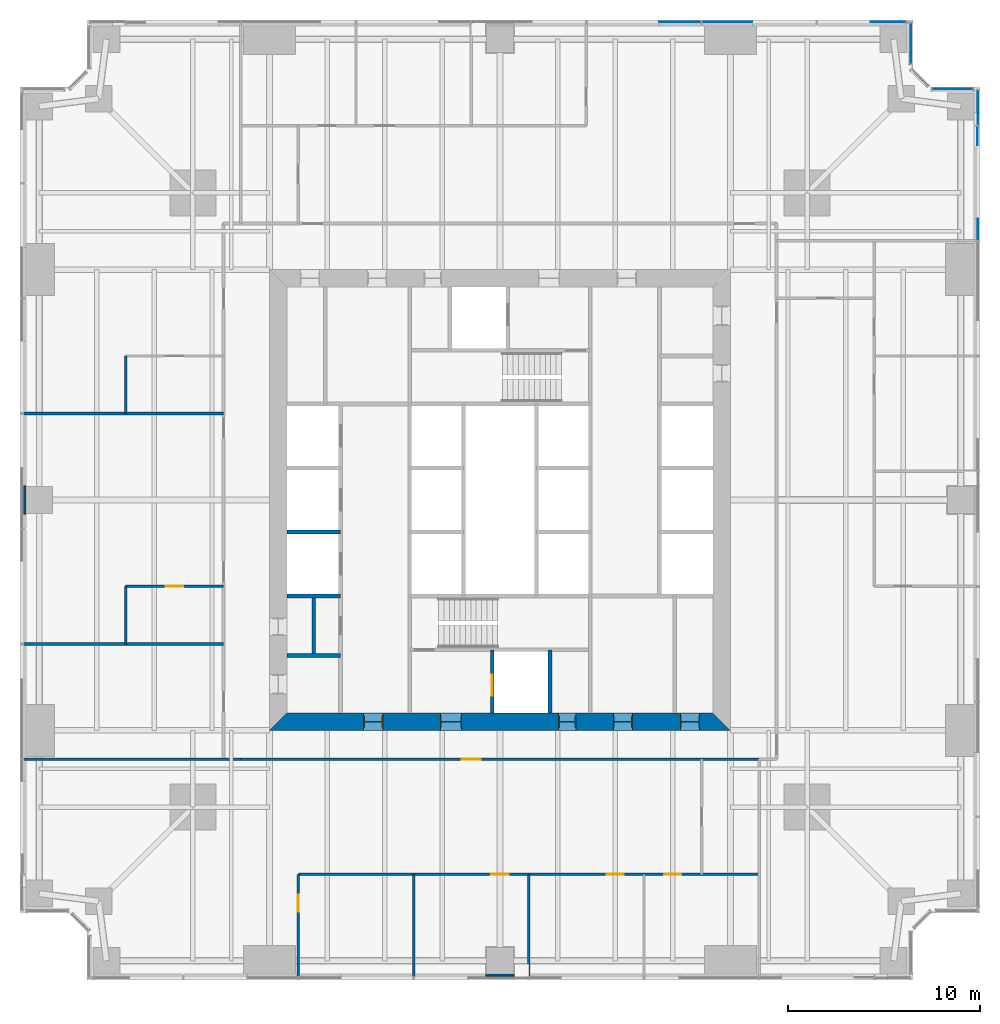
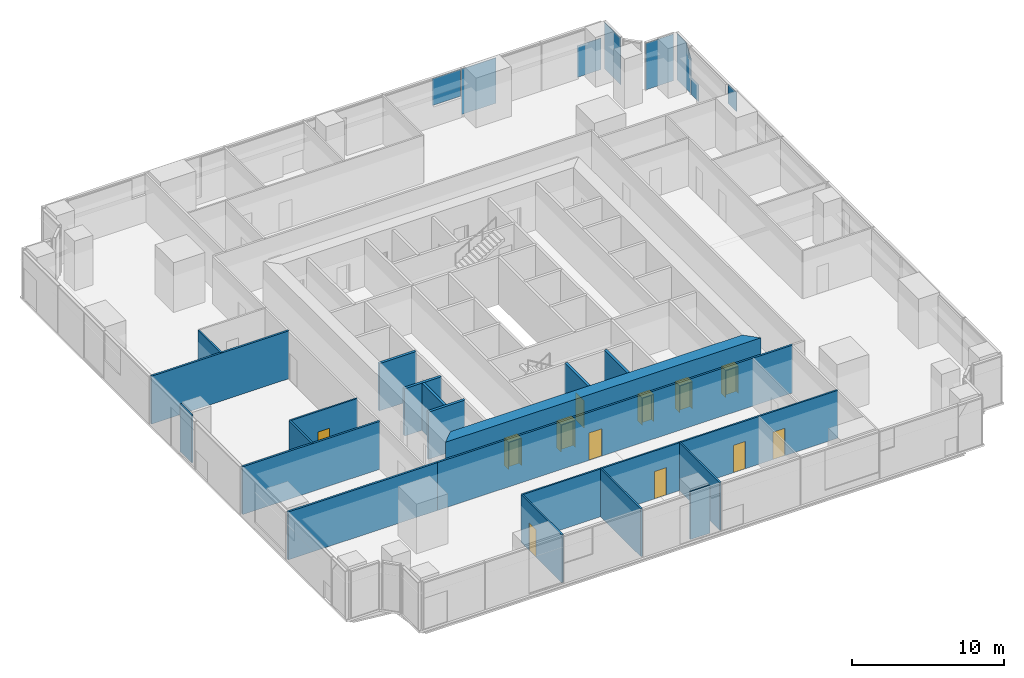
# One storey, part 9 of 14: 20 walls, 12 doors, 8 plates, 12 openings, 4 elements without a shape of their own.
"""IFC4 building model written with IfcOpenShell, lengths in metres."""

from ifc_helpers import new_model, si_unit, direction, frame, frame_2d, origin, origin_2d, place, context, subcontext, project, spatial, polyline, rectangle, outline, extrude, material, layer, layer_set, type_object, element, fill, aggregate, save


model = new_model("IFC4")

# Units and contexts
model_context = context("Model", 3, precision=1e-05, world=origin(), true_north=direction((0.0, 1.0)))
body_context = subcontext(model_context, "Body", "Model", "MODEL_VIEW")
ifc_project = project(units=[si_unit("LENGTHUNIT", "METRE"), si_unit("AREAUNIT", "SQUARE_METRE"), si_unit("VOLUMEUNIT", "CUBIC_METRE"), si_unit("PLANEANGLEUNIT", "RADIAN"), si_unit("MASSUNIT", "GRAM", prefix="KILO")], contexts=[model_context])

# Site, building, storey
site_placement = place(None, origin())
site = spatial("IfcSite", under=ifc_project, at=site_placement, CompositionType="ELEMENT")
building_placement = place(site_placement, origin())
building = spatial("IfcBuilding", under=site, at=building_placement, Name="Fenwick Lantern Interchange", CompositionType="ELEMENT")
storey_placement = place(building_placement, frame((0.0, 0.0, 83.0)))
storey = spatial("IfcBuildingStorey", under=building, at=storey_placement, Name="L19", CompositionType="ELEMENT", Elevation=83.0)

# Curtain wall, plates
ifc_material_1 = material(Name="Aluminium curtain wall frame", Category="aluminium")
curtain_wall_type = type_object("IfcCurtainWallType", Name="OFFICE CURTAIN WALL", PredefinedType="USERDEFINED", material=ifc_material_1)
curtain_wall_1_placement = place(storey_placement, origin())
curtain_wall_1 = element("IfcCurtainWall", 1, at=curtain_wall_1_placement, inside=storey, type_object=curtain_wall_type, Name="Office curtain wall 05", ObjectType="OFFICE CURTAIN WALL", PredefinedType="USERDEFINED")
ifc_material_2 = material(Name="Vision glass, clear low-iron double glazed", Category="glass")
ifc_layer_1 = layer(ifc_material_2, 0.031982421875)
ifc_layer_set_1 = layer_set([ifc_layer_1], Name="OFFICE CURTAIN WALL PANEL 32")
plate_type = type_object("IfcPlateType", Name="OFFICE CURTAIN WALL PANEL 32", PredefinedType="CURTAIN_PANEL", material=ifc_layer_set_1)
plate_1_placement = place(storey_placement, frame((49.89990234375, 3.60009765625, 2.190185546875), z_axis=(0.0, 0.0, 1.0), x_axis=(0.0, 1.0, 0.0)))
plate_1 = element("IfcPlate", 2, at=plate_1_placement, type_object=plate_type, Name="L19/CW/05/P06a", PredefinedType="CURTAIN_PANEL", context=body_context, shape_type="SweptSolid", body=[
    extrude(outline(polyline([(34.9326171875, 0.0), (36.047607421875, 0.0), (36.047607421875, 1.559814453125), (34.9326171875, 1.559814453125), (34.9326171875, 0.0)])), frame((0.0, 0.01611328125, 0.0), z_axis=(0.0, -1.0, 0.0), x_axis=(1.0, 0.0, 0.0)), (0.0, 0.0, 1.0), 0.031982421875),
])
plate_2_placement = place(storey_placement, frame((49.89990234375, 3.60009765625, 0.0), z_axis=(0.0, 0.0, 1.0), x_axis=(0.0, 1.0, 0.0)))
plate_2 = element("IfcPlate", 3, at=plate_2_placement, type_object=plate_type, Name="L19/CW/05/P06b", PredefinedType="CURTAIN_PANEL", context=body_context, shape_type="SweptSolid", body=[
    extrude(outline(polyline([(39.88720703125, 0.0), (40.867431640625, 0.0), (40.867431640625, 1.370361328125), (39.88720703125, 1.370361328125), (39.88720703125, 0.0)])), frame((0.0, 0.0498046875, 0.0), z_axis=(0.0, -1.0, 0.0), x_axis=(1.0, 0.0, 0.0)), (0.0, 0.0, 1.0), 0.031982421875),
])
plate_3_placement = place(storey_placement, frame((49.89990234375, 3.60009765625, 0.0), z_axis=(0.0, 0.0, 1.0), x_axis=(0.0, 1.0, 0.0)))
plate_3 = element("IfcPlate", 4, at=plate_3_placement, type_object=plate_type, Name="L19/CW/05/P07a", PredefinedType="CURTAIN_PANEL", context=body_context, shape_type="SweptSolid", body=[
    extrude(outline(polyline([(40.9326171875, 0.0), (42.735107421875, 0.0), (42.735107421875, 3.75), (41.589111328125, 3.75), (40.9326171875, 2.83203125), (40.9326171875, 0.0)])), frame((0.0, 0.01611328125, 0.0), z_axis=(0.0, -1.0, 0.0), x_axis=(1.0, 0.0, 0.0)), (0.0, 0.0, 1.0), 0.031982421875),
])
aggregate(curtain_wall_1, [plate_1, plate_2, plate_3])

# Curtain wall, plate
curtain_wall_2_placement = place(storey_placement, origin())
curtain_wall_2 = element("IfcCurtainWall", 5, at=curtain_wall_2_placement, inside=storey, type_object=curtain_wall_type, Name="Office curtain wall 06", ObjectType="OFFICE CURTAIN WALL", PredefinedType="USERDEFINED")
plate_4_placement = place(storey_placement, frame((48.579345703125, 46.39990234375, 0.0), z_axis=(0.0, 0.0, 1.0), x_axis=(-1.0, 0.0, 0.0)))
plate_4 = element("IfcPlate", 6, at=plate_4_placement, type_object=plate_type, Name="L19/CW/06/P00", PredefinedType="CURTAIN_PANEL", context=body_context, shape_type="SweptSolid", body=[
    extrude(rectangle(XDim=2.111328125, YDim=0.031982421875, at=origin_2d()), origin(), (0.0, 0.0, 1.0), 3.75),
])
aggregate(curtain_wall_2, [plate_4])

curtain_wall_3_placement = place(storey_placement, origin())
curtain_wall_3 = element("IfcCurtainWall", 7, at=curtain_wall_3_placement, inside=storey, type_object=curtain_wall_type, Name="Office curtain wall 08", ObjectType="OFFICE CURTAIN WALL", PredefinedType="USERDEFINED")
plate_5_placement = place(storey_placement, frame((46.39990234375, 48.779296875, 0.0), z_axis=(0.0, 0.0, 1.0), x_axis=(0.0, 1.0, 0.0)))
plate_5 = element("IfcPlate", 8, at=plate_5_placement, type_object=plate_type, Name="L19/CW/08/P00", PredefinedType="CURTAIN_PANEL", context=body_context, shape_type="SweptSolid", body=[
    extrude(rectangle(XDim=2.111328125, YDim=0.031982421875, at=origin_2d()), origin(), (0.0, 0.0, 1.0), 3.75),
])
aggregate(curtain_wall_3, [plate_5])

# Curtain wall, plates
curtain_wall_4_placement = place(storey_placement, origin())
curtain_wall_4 = element("IfcCurtainWall", 9, at=curtain_wall_4_placement, inside=storey, type_object=curtain_wall_type, Name="Office curtain wall 09", ObjectType="OFFICE CURTAIN WALL", PredefinedType="USERDEFINED")
plate_6_placement = place(storey_placement, frame((46.39990234375, 49.89990234375, 0.0), z_axis=(0.0, 0.0, 1.0), x_axis=(-1.0, 0.0, 0.0)))
plate_6 = element("IfcPlate", 10, at=plate_6_placement, type_object=plate_type, Name="L19/CW/09/P00a", PredefinedType="CURTAIN_PANEL", context=body_context, shape_type="SweptSolid", body=[
    extrude(outline(polyline([(0.264892578125, 0.0), (2.080078125, 0.0), (2.080078125, 2.534912109375), (0.264892578125, 2.534912109375), (0.264892578125, 0.0)])), frame((0.0, 0.01611328125, 0.0), z_axis=(0.0, -1.0, 0.0), x_axis=(1.0, 0.0, 0.0)), (0.0, 0.0, 1.0), 0.031982421875),
])
plate_7_placement = place(storey_placement, frame((46.39990234375, 49.89990234375, 0.093505859375), z_axis=(0.0, 0.0, 1.0), x_axis=(-1.0, 0.0, 0.0)))
plate_7 = element("IfcPlate", 11, at=plate_7_placement, type_object=plate_type, Name="L19/CW/09/P01a", PredefinedType="CURTAIN_PANEL", context=body_context, shape_type="SweptSolid", body=[
    extrude(outline(polyline([(8.251953125, 0.0), (10.867431640625, 0.0), (10.867431640625, 3.656494140625), (8.251953125, 3.656494140625), (8.251953125, 0.0)])), frame((0.0, 0.01611328125, 0.0), z_axis=(0.0, -1.0, 0.0), x_axis=(1.0, 0.0, 0.0)), (0.0, 0.0, 1.0), 0.031982421875),
])
plate_8_placement = place(storey_placement, frame((46.39990234375, 49.89990234375, 1.599365234375), z_axis=(0.0, 0.0, 1.0), x_axis=(-1.0, 0.0, 0.0)))
plate_8 = element("IfcPlate", 12, at=plate_8_placement, type_object=plate_type, Name="L19/CW/09/P02a", PredefinedType="CURTAIN_PANEL", context=body_context, shape_type="SweptSolid", body=[
    extrude(outline(polyline([(10.9326171875, 0.0), (13.107421875, 0.0), (13.107421875, 2.150634765625), (10.9326171875, 2.150634765625), (10.9326171875, 0.0)])), frame((0.0, 0.01611328125, 0.0), z_axis=(0.0, -1.0, 0.0), x_axis=(1.0, 0.0, 0.0)), (0.0, 0.0, 1.0), 0.031982421875),
])
aggregate(curtain_wall_4, [plate_6, plate_7, plate_8])

# Walls
ifc_material_3 = material(Name="Fire-rated gypsum board encasement on steel studs, 2 hour", Category="steel")
ifc_layer_2 = layer(ifc_material_3, 1.5)
ifc_layer_set_2 = layer_set([ifc_layer_2], Name="COLUMN PIER 1500")
wall_type_1 = type_object("IfcWallType", Name="COLUMN PIER 1500", PredefinedType="PARTITIONING", material=ifc_layer_set_2)
for number, where, z_axis, x_axis, name in (
    (13, (25.0, 0.199951171875, 0.0), (0.0, 0.0, 1.0), (0.0, 1.0, 0.0), "L19/W/PIER/CS3"),
    (14, (0.199951171875, 25.0, 0.0), (0.0, 0.0, 1.0), (1.0, 0.0, 0.0), "L19/W/PIER/CW3"),
):
    element("IfcWall", number, at=place(storey_placement, frame(where, z_axis=z_axis, x_axis=x_axis)), inside=storey, type_object=wall_type_1, Name=name, PredefinedType="PARTITIONING", context=body_context, shape_type="SweptSolid", body=[
        extrude(rectangle(XDim=0.10009765625, YDim=1.5, at=frame_2d((0.050048828125, 0.0))), origin(), (0.0, 0.0, 1.0), 3.85009765625),
    ])
ifc_material_4 = material(Name="Concrete masonry ASTM C90 Grade N", Category="masonry")
ifc_layer_3 = layer(ifc_material_4, 0.199951171875)
ifc_layer_set_3 = layer_set([ifc_layer_3], Name="Concrete masonry ASTM C90 Grade N")
wall_type_2 = type_object("IfcWallType", Name="CORE PARTITION 200", PredefinedType="PARTITIONING", material=ifc_layer_set_3)
for number, where, z_axis, x_axis, name in (
    (15, (13.89990234375, 20.0, 0.0), (0.0, 0.0, 1.0), (1.0, 0.0, 0.0), "L19/W/CORES/c2"),
    (16, (13.89990234375, 23.333251953125, 0.0), (0.0, 0.0, 1.0), (1.0, 0.0, 0.0), "L19/W/CORES/d1"),
):
    element("IfcWall", number, at=place(storey_placement, frame(where, z_axis=z_axis, x_axis=x_axis)), inside=storey, type_object=wall_type_2, Name=name, PredefinedType="PARTITIONING", context=body_context, shape_type="SweptSolid", body=[
        extrude(rectangle(XDim=2.800048828125, YDim=0.199951171875, at=frame_2d((1.39990234375, 0.0))), origin(), (0.0, 0.0, 1.0), 3.800048828125),
    ])

# Wall, opening, door
wall_1_placement = place(storey_placement, frame((24.60009765625, 13.89990234375, 0.0), z_axis=(0.0, 0.0, 1.0), x_axis=(0.0, 1.0, 0.0)))
wall_1 = element("IfcWall", 17, at=wall_1_placement, inside=storey, type_object=wall_type_2, Name="L19/W/CORES/h1", PredefinedType="PARTITIONING", context=body_context, shape_type="SweptSolid", body=[
    extrude(rectangle(XDim=3.300048828125, YDim=0.199951171875, at=frame_2d((1.64990234375, 0.0))), origin(), (0.0, 0.0, 1.0), 3.800048828125),
])
opening_1_placement = place(wall_1_placement, frame((0.89990234375, 0.0, 0.0)))
opening_1 = element("IfcOpeningElement", 18, at=opening_1_placement, cuts=wall_1, Name="Opening LD-FL1", PredefinedType="OPENING", context=body_context, shape_type="SweptSolid", body=[
    extrude(rectangle(XDim=1.10009765625, YDim=2.199951171875, at=frame_2d((0.550048828125, 1.10009765625))), frame((0.0, 0.10986328125, 0.0), z_axis=(0.0, -1.0, 0.0), x_axis=(1.0, 0.0, 0.0)), (0.0, 0.0, 1.0), 0.219970703125),
])
ifc_material_5 = material(Name="Steel door and frame", Category="steel")
door_type_1 = type_object("IfcDoorType", Name="LIFT LANDING DOOR 1100 X 2200", OperationType="DOUBLE_DOOR_SLIDING", PredefinedType="DOOR", material=ifc_material_5)
door_1_placement = place(opening_1_placement, origin())
door_1 = element("IfcDoor", 19, at=door_1_placement, inside=storey, type_object=door_type_1, Name="Lift landing door FL1", OperationType="DOUBLE_DOOR_SLIDING", OverallHeight=2.199951171875, OverallWidth=1.10009765625, PredefinedType="DOOR", context=body_context, shape_type="SweptSolid", body=[
    extrude(rectangle(XDim=1.10009765625, YDim=2.199951171875, at=frame_2d((0.550048828125, 1.10009765625))), frame((0.0, 0.02490234375, 0.0), z_axis=(0.0, -1.0, 0.0), x_axis=(1.0, 0.0, 0.0)), (0.0, 0.0, 1.0), 0.050048828125),
])
fill(opening_1, door_1)

# Walls
wall_2_placement = place(storey_placement, frame((27.60009765625, 13.89990234375, 0.0), z_axis=(0.0, 0.0, 1.0), x_axis=(0.0, 1.0, 0.0)))
element("IfcWall", 20, at=wall_2_placement, inside=storey, type_object=wall_type_2, Name="L19/W/CORES/h2", PredefinedType="PARTITIONING", context=body_context, shape_type="SweptSolid", body=[
    extrude(rectangle(XDim=3.300048828125, YDim=0.199951171875, at=frame_2d((1.64990234375, 0.0))), origin(), (0.0, 0.0, 1.0), 3.800048828125),
])
wall_3_placement = place(storey_placement, frame((13.89990234375, 16.89990234375, 0.0), z_axis=(0.0, 0.0, 1.0), x_axis=(1.0, 0.0, 0.0)))
element("IfcWall", 21, at=wall_3_placement, inside=storey, type_object=wall_type_2, Name="L19/W/CORES/p1", PredefinedType="PARTITIONING", context=body_context, shape_type="SweptSolid", body=[
    extrude(rectangle(XDim=2.800048828125, YDim=0.199951171875, at=frame_2d((1.39990234375, 0.0))), origin(), (0.0, 0.0, 1.0), 3.800048828125),
])
wall_4_placement = place(storey_placement, frame((15.300048828125, 16.89990234375, 0.0), z_axis=(0.0, 0.0, 1.0), x_axis=(0.0, 1.0, 0.0)))
element("IfcWall", 22, at=wall_4_placement, inside=storey, type_object=wall_type_2, Name="L19/W/CORES/px", PredefinedType="PARTITIONING", context=body_context, shape_type="SweptSolid", body=[
    extrude(rectangle(XDim=3.10009765625, YDim=0.199951171875, at=frame_2d((1.550048828125, 0.0))), origin(), (0.0, 0.0, 1.0), 3.800048828125),
])

# Wall, openings, doors
ifc_material_6 = material(Name="Concrete f'c 70 MPa", Category="concrete")
ifc_layer_4 = layer(ifc_material_6, 0.89990234375)
ifc_layer_set_4 = layer_set([ifc_layer_4], Name="CORE WALL 900")
wall_type_3 = type_object("IfcWallType", Name="CORE WALL 900", PredefinedType="SHEAR", material=ifc_layer_set_4)
wall_5_placement = place(storey_placement, frame((13.0, 13.449951171875, 0.0), z_axis=(0.0, 0.0, 1.0), x_axis=(1.0, 0.0, 0.0)))
wall_5 = element("IfcWall", 23, at=wall_5_placement, inside=storey, type_object=wall_type_3, Name="L19/CORE/S", PredefinedType="SHEAR", context=body_context, shape_type="SweptSolid", body=[
    extrude(outline(polyline([(0.0, -0.449951171875), (24.0, -0.449951171875), (23.10009765625, 0.449951171875), (0.89990234375, 0.449951171875), (0.0, -0.449951171875)])), origin(), (0.0, 0.0, 1.0), 4.0),
])
opening_2_placement = place(wall_5_placement, frame((4.89990234375, 0.0, 0.0)))
opening_2 = element("IfcOpeningElement", 24, at=opening_2_placement, cuts=wall_5, Name="Opening L19-D001", PredefinedType="OPENING", context=body_context, shape_type="SweptSolid", body=[
    extrude(rectangle(XDim=1.0, YDim=2.199951171875, at=frame_2d((0.5, 1.10009765625))), frame((0.0, 0.4599609375, 0.0), z_axis=(0.0, -1.0, 0.0), x_axis=(1.0, 0.0, 0.0)), (0.0, 0.0, 1.0), 0.919921875),
])
opening_3_placement = place(wall_5_placement, frame((8.89990234375, 0.0, 0.0)))
opening_3 = element("IfcOpeningElement", 25, at=opening_3_placement, cuts=wall_5, Name="Opening L19-D002", PredefinedType="OPENING", context=body_context, shape_type="SweptSolid", body=[
    extrude(rectangle(XDim=1.10009765625, YDim=2.199951171875, at=frame_2d((0.550048828125, 1.10009765625))), frame((0.0, 0.4599609375, 0.0), z_axis=(0.0, -1.0, 0.0), x_axis=(1.0, 0.0, 0.0)), (0.0, 0.0, 1.0), 0.919921875),
])
opening_4_placement = place(wall_5_placement, frame((15.050048828125, 0.0, 0.0)))
opening_4 = element("IfcOpeningElement", 26, at=opening_4_placement, cuts=wall_5, Name="Opening L19-D004", PredefinedType="OPENING", context=body_context, shape_type="SweptSolid", body=[
    extrude(rectangle(XDim=0.89990234375, YDim=2.199951171875, at=frame_2d((0.449951171875, 1.10009765625))), frame((0.0, 0.4599609375, 0.0), z_axis=(0.0, -1.0, 0.0), x_axis=(1.0, 0.0, 0.0)), (0.0, 0.0, 1.0), 0.919921875),
])
opening_5_placement = place(wall_5_placement, frame((17.89990234375, 0.0, 0.0)))
opening_5 = element("IfcOpeningElement", 27, at=opening_5_placement, cuts=wall_5, Name="Opening L19-D005", PredefinedType="OPENING", context=body_context, shape_type="SweptSolid", body=[
    extrude(rectangle(XDim=1.0, YDim=2.199951171875, at=frame_2d((0.5, 1.10009765625))), frame((0.0, 0.4599609375, 0.0), z_axis=(0.0, -1.0, 0.0), x_axis=(1.0, 0.0, 0.0)), (0.0, 0.0, 1.0), 0.919921875),
])
opening_6_placement = place(wall_5_placement, frame((21.39990234375, 0.0, 0.0)))
opening_6 = element("IfcOpeningElement", 28, at=opening_6_placement, cuts=wall_5, Name="Opening L19-D006", PredefinedType="OPENING", context=body_context, shape_type="SweptSolid", body=[
    extrude(rectangle(XDim=1.0, YDim=2.199951171875, at=frame_2d((0.5, 1.10009765625))), frame((0.0, 0.4599609375, 0.0), z_axis=(0.0, -1.0, 0.0), x_axis=(1.0, 0.0, 0.0)), (0.0, 0.0, 1.0), 0.919921875),
])
door_type_2 = type_object("IfcDoorType", Name="CORE LOBBY DOOR 1000 X 2200", OperationType="SINGLE_SWING_LEFT", PredefinedType="DOOR", material=ifc_material_5)
door_2_placement = place(opening_2_placement, origin())
door_2 = element("IfcDoor", 29, at=door_2_placement, inside=storey, type_object=door_type_2, Name="Core lobby door", OperationType="SINGLE_SWING_LEFT", OverallHeight=2.199951171875, OverallWidth=1.0, PredefinedType="DOOR", context=body_context, shape_type="SweptSolid", body=[
    extrude(rectangle(XDim=1.0, YDim=2.199951171875, at=frame_2d((0.5, 1.10009765625))), frame((0.0, 0.02490234375, 0.0), z_axis=(0.0, -1.0, 0.0), x_axis=(1.0, 0.0, 0.0)), (0.0, 0.0, 1.0), 0.050048828125),
    extrude(outline(polyline([(0.0, 0.0), (0.0400390625, 0.0), (0.0400390625, 2.159912109375), (0.9599609375, 2.159912109375), (0.9599609375, 0.0), (1.0, 0.0), (1.0, 2.199951171875), (0.0, 2.199951171875), (0.0, 0.0)])), frame((0.0, 0.300048828125, 0.0), z_axis=(0.0, -1.0, 0.0), x_axis=(1.0, 0.0, 0.0)), (0.0, 0.0, 1.0), 0.60009765625),
])
fill(opening_2, door_2)
door_type_3 = type_object("IfcDoorType", Name="FIRE LOBBY DOOR 1100 X 2200", OperationType="SINGLE_SWING_LEFT", PredefinedType="DOOR", material=ifc_material_5)
door_3_placement = place(opening_3_placement, origin())
door_3 = element("IfcDoor", 30, at=door_3_placement, inside=storey, type_object=door_type_3, Name="Fire lobby door", OperationType="SINGLE_SWING_LEFT", OverallHeight=2.199951171875, OverallWidth=1.10009765625, PredefinedType="DOOR", context=body_context, shape_type="SweptSolid", body=[
    extrude(rectangle(XDim=1.10009765625, YDim=2.199951171875, at=frame_2d((0.550048828125, 1.10009765625))), frame((0.0, 0.02490234375, 0.0), z_axis=(0.0, -1.0, 0.0), x_axis=(1.0, 0.0, 0.0)), (0.0, 0.0, 1.0), 0.050048828125),
    extrude(outline(polyline([(0.0, 0.0), (0.0400390625, 0.0), (0.0400390625, 2.159912109375), (1.06005859375, 2.159912109375), (1.06005859375, 0.0), (1.10009765625, 0.0), (1.10009765625, 2.199951171875), (0.0, 2.199951171875), (0.0, 0.0)])), frame((0.0, 0.300048828125, 0.0), z_axis=(0.0, -1.0, 0.0), x_axis=(1.0, 0.0, 0.0)), (0.0, 0.0, 1.0), 0.60009765625),
])
fill(opening_3, door_3)
door_type_4 = type_object("IfcDoorType", Name="SERVICE DOOR 900 X 2200", OperationType="SINGLE_SWING_LEFT", PredefinedType="DOOR", material=ifc_material_5)
door_4_placement = place(opening_4_placement, origin())
door_4 = element("IfcDoor", 31, at=door_4_placement, inside=storey, type_object=door_type_4, Name="Service door", OperationType="SINGLE_SWING_LEFT", OverallHeight=2.199951171875, OverallWidth=0.89990234375, PredefinedType="DOOR", context=body_context, shape_type="SweptSolid", body=[
    extrude(rectangle(XDim=0.89990234375, YDim=2.199951171875, at=frame_2d((0.449951171875, 1.10009765625))), frame((0.0, 0.02490234375, 0.0), z_axis=(0.0, -1.0, 0.0), x_axis=(1.0, 0.0, 0.0)), (0.0, 0.0, 1.0), 0.050048828125),
    extrude(outline(polyline([(0.0, 0.0), (0.0400390625, 0.0), (0.0400390625, 2.159912109375), (0.85986328125, 2.159912109375), (0.85986328125, 0.0), (0.89990234375, 0.0), (0.89990234375, 2.199951171875), (0.0, 2.199951171875), (0.0, 0.0)])), frame((0.0, 0.300048828125, 0.0), z_axis=(0.0, -1.0, 0.0), x_axis=(1.0, 0.0, 0.0)), (0.0, 0.0, 1.0), 0.60009765625),
])
fill(opening_4, door_4)
ifc_material_7 = material(Name="Hardwood door and steel frame", Category="steel")
door_type_5 = type_object("IfcDoorType", Name="WC DOOR 1000 X 2200", OperationType="SINGLE_SWING_LEFT", PredefinedType="DOOR", material=ifc_material_7)
door_5_placement = place(opening_5_placement, origin())
door_5 = element("IfcDoor", 32, at=door_5_placement, inside=storey, type_object=door_type_5, Name="Wc door", OperationType="SINGLE_SWING_LEFT", OverallHeight=2.199951171875, OverallWidth=1.0, PredefinedType="DOOR", context=body_context, shape_type="SweptSolid", body=[
    extrude(rectangle(XDim=1.0, YDim=2.199951171875, at=frame_2d((0.5, 1.10009765625))), frame((0.0, 0.02490234375, 0.0), z_axis=(0.0, -1.0, 0.0), x_axis=(1.0, 0.0, 0.0)), (0.0, 0.0, 1.0), 0.050048828125),
    extrude(outline(polyline([(0.0, 0.0), (0.0400390625, 0.0), (0.0400390625, 2.159912109375), (0.9599609375, 2.159912109375), (0.9599609375, 0.0), (1.0, 0.0), (1.0, 2.199951171875), (0.0, 2.199951171875), (0.0, 0.0)])), frame((0.0, 0.300048828125, 0.0), z_axis=(0.0, -1.0, 0.0), x_axis=(1.0, 0.0, 0.0)), (0.0, 0.0, 1.0), 0.60009765625),
])
fill(opening_5, door_5)
door_6_placement = place(opening_6_placement, origin())
door_6 = element("IfcDoor", 33, at=door_6_placement, inside=storey, type_object=door_type_5, Name="Wc door", OperationType="SINGLE_SWING_LEFT", OverallHeight=2.199951171875, OverallWidth=1.0, PredefinedType="DOOR", context=body_context, shape_type="SweptSolid", body=[
    extrude(rectangle(XDim=1.0, YDim=2.199951171875, at=frame_2d((0.5, 1.10009765625))), frame((0.0, 0.02490234375, 0.0), z_axis=(0.0, -1.0, 0.0), x_axis=(1.0, 0.0, 0.0)), (0.0, 0.0, 1.0), 0.050048828125),
    extrude(outline(polyline([(0.0, 0.0), (0.0400390625, 0.0), (0.0400390625, 2.159912109375), (0.9599609375, 2.159912109375), (0.9599609375, 0.0), (1.0, 0.0), (1.0, 2.199951171875), (0.0, 2.199951171875), (0.0, 0.0)])), frame((0.0, 0.300048828125, 0.0), z_axis=(0.0, -1.0, 0.0), x_axis=(1.0, 0.0, 0.0)), (0.0, 0.0, 1.0), 0.60009765625),
])
fill(opening_6, door_6)

# Wall, opening, door
ifc_material_8 = material(Name="Gypsum board on steel studs, 1 hour", Category="steel")
ifc_layer_5 = layer(ifc_material_8, 0.14990234375)
ifc_layer_set_5 = layer_set([ifc_layer_5], Name="CORRIDOR WALL 150")
wall_type_4 = type_object("IfcWallType", Name="CORRIDOR WALL 150", PredefinedType="PARTITIONING", material=ifc_layer_set_5)
wall_6_placement = place(storey_placement, frame((11.5, 11.5, 0.0), z_axis=(0.0, 0.0, 1.0), x_axis=(1.0, 0.0, 0.0)))
wall_6 = element("IfcWall", 34, at=wall_6_placement, inside=storey, type_object=wall_type_4, Name="L19/W/OFF/S/CW", PredefinedType="PARTITIONING", context=body_context, shape_type="SweptSolid", body=[
    extrude(rectangle(XDim=27.0, YDim=0.14990234375, at=frame_2d((13.5, 0.0))), origin(), (0.0, 0.0, 1.0), 3.85009765625),
])
opening_7_placement = place(wall_6_placement, frame((11.5, 0.0, 0.0)))
opening_7 = element("IfcOpeningElement", 35, at=opening_7_placement, cuts=wall_6, Name="Opening L19-D018", PredefinedType="OPENING", context=body_context, shape_type="SweptSolid", body=[
    extrude(rectangle(XDim=1.0, YDim=2.199951171875, at=frame_2d((0.5, 1.10009765625))), frame((0.0, 0.0849609375, 0.0), z_axis=(0.0, -1.0, 0.0), x_axis=(1.0, 0.0, 0.0)), (0.0, 0.0, 1.0), 0.169921875),
])
door_type_6 = type_object("IfcDoorType", Name="SUITE ENTRANCE DOOR 1000 X 2200", OperationType="SINGLE_SWING_LEFT", PredefinedType="DOOR", material=ifc_material_5)
door_7_placement = place(opening_7_placement, frame((1.0, 0.0, 0.0), z_axis=(0.0, 0.0, 1.0), x_axis=(-1.0, 0.0, 0.0)))
door_7 = element("IfcDoor", 36, at=door_7_placement, inside=storey, type_object=door_type_6, Name="Suite entrance door", OperationType="SINGLE_SWING_LEFT", OverallHeight=2.199951171875, OverallWidth=1.0, PredefinedType="DOOR", context=body_context, shape_type="SweptSolid", body=[
    extrude(rectangle(XDim=1.0, YDim=2.199951171875, at=frame_2d((0.5, 1.10009765625))), frame((0.0, 0.02490234375, 0.0), z_axis=(0.0, -1.0, 0.0), x_axis=(1.0, 0.0, 0.0)), (0.0, 0.0, 1.0), 0.050048828125),
])
fill(opening_7, door_7)

ifc_material_9 = material(Name="Gypsum board on steel studs, acoustic", Category="steel")
ifc_layer_6 = layer(ifc_material_9, 0.125)
ifc_layer_set_6 = layer_set([ifc_layer_6], Name="OFFICE PARTITION 125")
wall_type_5 = type_object("IfcWallType", Name="OFFICE PARTITION 125", PredefinedType="PARTITIONING", material=ifc_layer_set_6)
wall_7_placement = place(storey_placement, frame((14.5, 0.14990234375, 0.0), z_axis=(0.0, 0.0, 1.0), x_axis=(0.0, 1.0, 0.0)))
wall_7 = element("IfcWall", 37, at=wall_7_placement, inside=storey, type_object=wall_type_5, Name="L19/W/OFF/S/X145-1", PredefinedType="PARTITIONING", context=body_context, shape_type="SweptSolid", body=[
    extrude(rectangle(XDim=5.35009765625, YDim=0.125, at=frame_2d((2.675048828125, 0.0))), origin(), (0.0, 0.0, 1.0), 3.85009765625),
])
opening_8_placement = place(wall_7_placement, frame((3.39990234375, 0.0, 0.0)))
opening_8 = element("IfcOpeningElement", 38, at=opening_8_placement, cuts=wall_7, Name="Opening L19-D019", PredefinedType="OPENING", context=body_context, shape_type="SweptSolid", body=[
    extrude(rectangle(XDim=0.89990234375, YDim=2.199951171875, at=frame_2d((0.449951171875, 1.10009765625))), frame((0.0, 0.072509765625, 0.0), z_axis=(0.0, -1.0, 0.0), x_axis=(1.0, 0.0, 0.0)), (0.0, 0.0, 1.0), 0.14501953125),
])
door_type_7 = type_object("IfcDoorType", Name="OFFICE DOOR 900 X 2200", OperationType="SINGLE_SWING_LEFT", PredefinedType="DOOR", material=ifc_material_7)
door_8_placement = place(opening_8_placement, frame((0.89990234375, 0.0, 0.0), z_axis=(0.0, 0.0, 1.0), x_axis=(-1.0, 0.0, 0.0)))
door_8 = element("IfcDoor", 39, at=door_8_placement, inside=storey, type_object=door_type_7, Name="Office door", OperationType="SINGLE_SWING_LEFT", OverallHeight=2.199951171875, OverallWidth=0.89990234375, PredefinedType="DOOR", context=body_context, shape_type="SweptSolid", body=[
    extrude(rectangle(XDim=0.89990234375, YDim=2.199951171875, at=frame_2d((0.449951171875, 1.10009765625))), frame((0.0, 0.02490234375, 0.0), z_axis=(0.0, -1.0, 0.0), x_axis=(1.0, 0.0, 0.0)), (0.0, 0.0, 1.0), 0.050048828125),
])
fill(opening_8, door_8)

# Walls
for number, where, z_axis, x_axis, name in (
    (40, (20.5, 0.14990234375, 0.0), (0.0, 0.0, 1.0), (0.0, 1.0, 0.0), "L19/W/OFF/S/X205-1"),
    (41, (26.5, 0.14990234375, 0.0), (0.0, 0.0, 1.0), (0.0, 1.0, 0.0), "L19/W/OFF/S/X265-1"),
):
    element("IfcWall", number, at=place(storey_placement, frame(where, z_axis=z_axis, x_axis=x_axis)), inside=storey, type_object=wall_type_5, Name=name, PredefinedType="PARTITIONING", context=body_context, shape_type="SweptSolid", body=[
        extrude(rectangle(XDim=5.35009765625, YDim=0.125, at=frame_2d((2.675048828125, 0.0))), origin(), (0.0, 0.0, 1.0), 3.85009765625),
    ])

# Wall, openings, doors
wall_8_placement = place(storey_placement, frame((14.5, 5.5, 0.0), z_axis=(0.0, 0.0, 1.0), x_axis=(1.0, 0.0, 0.0)))
wall_8 = element("IfcWall", 42, at=wall_8_placement, inside=storey, type_object=wall_type_5, Name="L19/W/OFF/S/Y55-1", PredefinedType="PARTITIONING", context=body_context, shape_type="SweptSolid", body=[
    extrude(rectangle(XDim=24.0, YDim=0.125, at=frame_2d((12.0, 0.0))), origin(), (0.0, 0.0, 1.0), 3.85009765625),
])
opening_9_placement = place(wall_8_placement, frame((10.050048828125, 0.0, 0.0)))
opening_9 = element("IfcOpeningElement", 43, at=opening_9_placement, cuts=wall_8, Name="Opening L19-D020", PredefinedType="OPENING", context=body_context, shape_type="SweptSolid", body=[
    extrude(rectangle(XDim=0.89990234375, YDim=2.199951171875, at=frame_2d((0.449951171875, 1.10009765625))), frame((0.0, 0.072509765625, 0.0), z_axis=(0.0, -1.0, 0.0), x_axis=(1.0, 0.0, 0.0)), (0.0, 0.0, 1.0), 0.14501953125),
])
opening_10_placement = place(wall_8_placement, frame((16.050048828125, 0.0, 0.0)))
opening_10 = element("IfcOpeningElement", 44, at=opening_10_placement, cuts=wall_8, Name="Opening L19-D021", PredefinedType="OPENING", context=body_context, shape_type="SweptSolid", body=[
    extrude(rectangle(XDim=0.89990234375, YDim=2.199951171875, at=frame_2d((0.449951171875, 1.10009765625))), frame((0.0, 0.072509765625, 0.0), z_axis=(0.0, -1.0, 0.0), x_axis=(1.0, 0.0, 0.0)), (0.0, 0.0, 1.0), 0.14501953125),
])
opening_11_placement = place(wall_8_placement, frame((19.050048828125, 0.0, 0.0)))
opening_11 = element("IfcOpeningElement", 45, at=opening_11_placement, cuts=wall_8, Name="Opening L19-D022", PredefinedType="OPENING", context=body_context, shape_type="SweptSolid", body=[
    extrude(rectangle(XDim=0.89990234375, YDim=2.199951171875, at=frame_2d((0.449951171875, 1.10009765625))), frame((0.0, 0.072509765625, 0.0), z_axis=(0.0, -1.0, 0.0), x_axis=(1.0, 0.0, 0.0)), (0.0, 0.0, 1.0), 0.14501953125),
])
door_9_placement = place(opening_9_placement, frame((0.89990234375, 0.0, 0.0), z_axis=(0.0, 0.0, 1.0), x_axis=(-1.0, 0.0, 0.0)))
door_9 = element("IfcDoor", 46, at=door_9_placement, inside=storey, type_object=door_type_7, Name="Office door", OperationType="SINGLE_SWING_LEFT", OverallHeight=2.199951171875, OverallWidth=0.89990234375, PredefinedType="DOOR", context=body_context, shape_type="SweptSolid", body=[
    extrude(rectangle(XDim=0.89990234375, YDim=2.199951171875, at=frame_2d((0.449951171875, 1.10009765625))), frame((0.0, 0.02490234375, 0.0), z_axis=(0.0, -1.0, 0.0), x_axis=(1.0, 0.0, 0.0)), (0.0, 0.0, 1.0), 0.050048828125),
])
fill(opening_9, door_9)
door_10_placement = place(opening_10_placement, frame((0.89990234375, 0.0, 0.0), z_axis=(0.0, 0.0, 1.0), x_axis=(-1.0, 0.0, 0.0)))
door_10 = element("IfcDoor", 47, at=door_10_placement, inside=storey, type_object=door_type_7, Name="Office door", OperationType="SINGLE_SWING_LEFT", OverallHeight=2.199951171875, OverallWidth=0.89990234375, PredefinedType="DOOR", context=body_context, shape_type="SweptSolid", body=[
    extrude(rectangle(XDim=0.89990234375, YDim=2.199951171875, at=frame_2d((0.449951171875, 1.10009765625))), frame((0.0, 0.02490234375, 0.0), z_axis=(0.0, -1.0, 0.0), x_axis=(1.0, 0.0, 0.0)), (0.0, 0.0, 1.0), 0.050048828125),
])
fill(opening_10, door_10)
door_11_placement = place(opening_11_placement, frame((0.89990234375, 0.0, 0.0), z_axis=(0.0, 0.0, 1.0), x_axis=(-1.0, 0.0, 0.0)))
door_11 = element("IfcDoor", 48, at=door_11_placement, inside=storey, type_object=door_type_7, Name="Office door", OperationType="SINGLE_SWING_RIGHT", OverallHeight=2.199951171875, OverallWidth=0.89990234375, PredefinedType="DOOR", context=body_context, shape_type="SweptSolid", body=[
    extrude(rectangle(XDim=0.89990234375, YDim=2.199951171875, at=frame_2d((0.449951171875, 1.10009765625))), frame((0.0, 0.02490234375, 0.0), z_axis=(0.0, -1.0, 0.0), x_axis=(1.0, 0.0, 0.0)), (0.0, 0.0, 1.0), 0.050048828125),
])
fill(opening_11, door_11)

# Wall, opening, door
wall_9_placement = place(storey_placement, frame((5.5, 20.5, 0.0), z_axis=(0.0, 0.0, 1.0), x_axis=(1.0, 0.0, 0.0)))
wall_9 = element("IfcWall", 49, at=wall_9_placement, inside=storey, type_object=wall_type_5, Name="L19/W/OFF/W/X295-1", PredefinedType="PARTITIONING", context=body_context, shape_type="SweptSolid", body=[
    extrude(rectangle(XDim=5.10009765625, YDim=0.125, at=frame_2d((2.550048828125, 0.0))), origin(), (0.0, 0.0, 1.0), 3.85009765625),
])
opening_12_placement = place(wall_9_placement, frame((2.10009765625, 0.0, 0.0)))
opening_12 = element("IfcOpeningElement", 50, at=opening_12_placement, cuts=wall_9, Name="Opening L19-D040", PredefinedType="OPENING", context=body_context, shape_type="SweptSolid", body=[
    extrude(rectangle(XDim=0.89990234375, YDim=2.199951171875, at=frame_2d((0.449951171875, 1.10009765625))), frame((0.0, 0.072509765625, 0.0), z_axis=(0.0, -1.0, 0.0), x_axis=(1.0, 0.0, 0.0)), (0.0, 0.0, 1.0), 0.14501953125),
])
door_12_placement = place(opening_12_placement, frame((0.89990234375, 0.0, 0.0), z_axis=(0.0, 0.0, 1.0), x_axis=(-1.0, 0.0, 0.0)))
door_12 = element("IfcDoor", 51, at=door_12_placement, inside=storey, type_object=door_type_7, Name="Office door", OperationType="SINGLE_SWING_RIGHT", OverallHeight=2.199951171875, OverallWidth=0.89990234375, PredefinedType="DOOR", context=body_context, shape_type="SweptSolid", body=[
    extrude(rectangle(XDim=0.89990234375, YDim=2.199951171875, at=frame_2d((0.449951171875, 1.10009765625))), frame((0.0, 0.02490234375, 0.0), z_axis=(0.0, -1.0, 0.0), x_axis=(1.0, 0.0, 0.0)), (0.0, 0.0, 1.0), 0.050048828125),
])
fill(opening_12, door_12)

# Walls
for number, where, z_axis, x_axis, name in (
    (52, (5.5, 32.5, 0.0), (0.0, 0.0, 1.0), (0.0, -1.0, 0.0), "L19/W/OFF/W/Y55-1"),
    (53, (5.5, 20.5, 0.0), (0.0, 0.0, 1.0), (0.0, -1.0, 0.0), "L19/W/OFF/W/Y55-2"),
):
    element("IfcWall", number, at=place(storey_placement, frame(where, z_axis=z_axis, x_axis=x_axis)), inside=storey, type_object=wall_type_5, Name=name, PredefinedType="PARTITIONING", context=body_context, shape_type="SweptSolid", body=[
        extrude(rectangle(XDim=3.0, YDim=0.125, at=frame_2d((1.5, 0.0))), origin(), (0.0, 0.0, 1.0), 3.85009765625),
    ])
ifc_material_10 = material(Name="Gypsum board on steel studs, 1 hour acoustic", Category="steel")
ifc_layer_7 = layer(ifc_material_10, 0.14990234375)
ifc_layer_set_7 = layer_set([ifc_layer_7], Name="TENANT WALL 150")
wall_type_6 = type_object("IfcWallType", Name="TENANT WALL 150", PredefinedType="PARTITIONING", material=ifc_layer_set_7)
wall_10_placement = place(storey_placement, frame((0.14990234375, 11.5, 0.0), z_axis=(0.0, 0.0, 1.0), x_axis=(1.0, 0.0, 0.0)))
element("IfcWall", 54, at=wall_10_placement, inside=storey, type_object=wall_type_6, Name="L19/W/OFF/S/BACK", PredefinedType="PARTITIONING", context=body_context, shape_type="SweptSolid", body=[
    extrude(rectangle(XDim=11.35009765625, YDim=0.14990234375, at=frame_2d((5.675048828125, 0.0))), origin(), (0.0, 0.0, 1.0), 3.85009765625),
])
for number, where, z_axis, x_axis, name in (
    (55, (0.14990234375, 29.5, 0.0), (0.0, 0.0, 1.0), (1.0, 0.0, 0.0), "L19/W/OFF/W/X205-1"),
    (56, (0.14990234375, 17.5, 0.0), (0.0, 0.0, 1.0), (1.0, 0.0, 0.0), "L19/W/OFF/W/X325-1"),
):
    element("IfcWall", number, at=place(storey_placement, frame(where, z_axis=z_axis, x_axis=x_axis)), inside=storey, type_object=wall_type_6, Name=name, PredefinedType="PARTITIONING", context=body_context, shape_type="SweptSolid", body=[
        extrude(rectangle(XDim=10.4501953125, YDim=0.14990234375, at=frame_2d((5.22509765625, 0.0))), origin(), (0.0, 0.0, 1.0), 3.85009765625),
    ])

save(model, "model.ifc")
